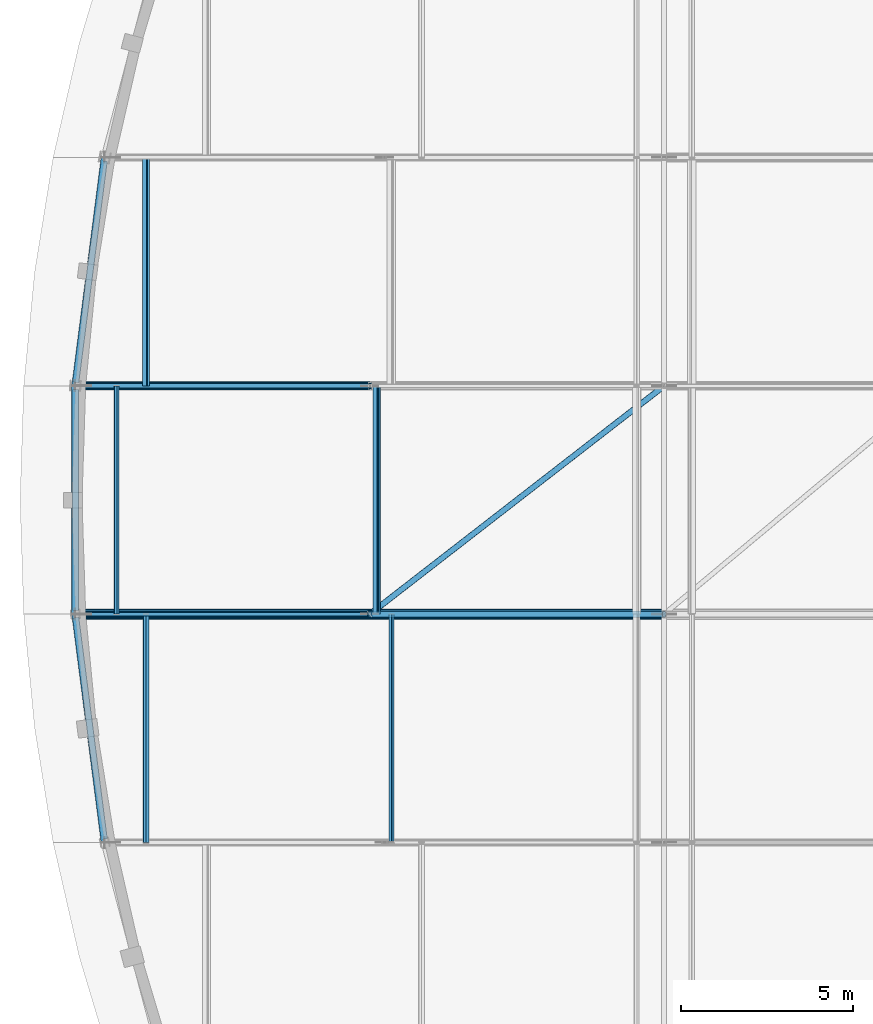
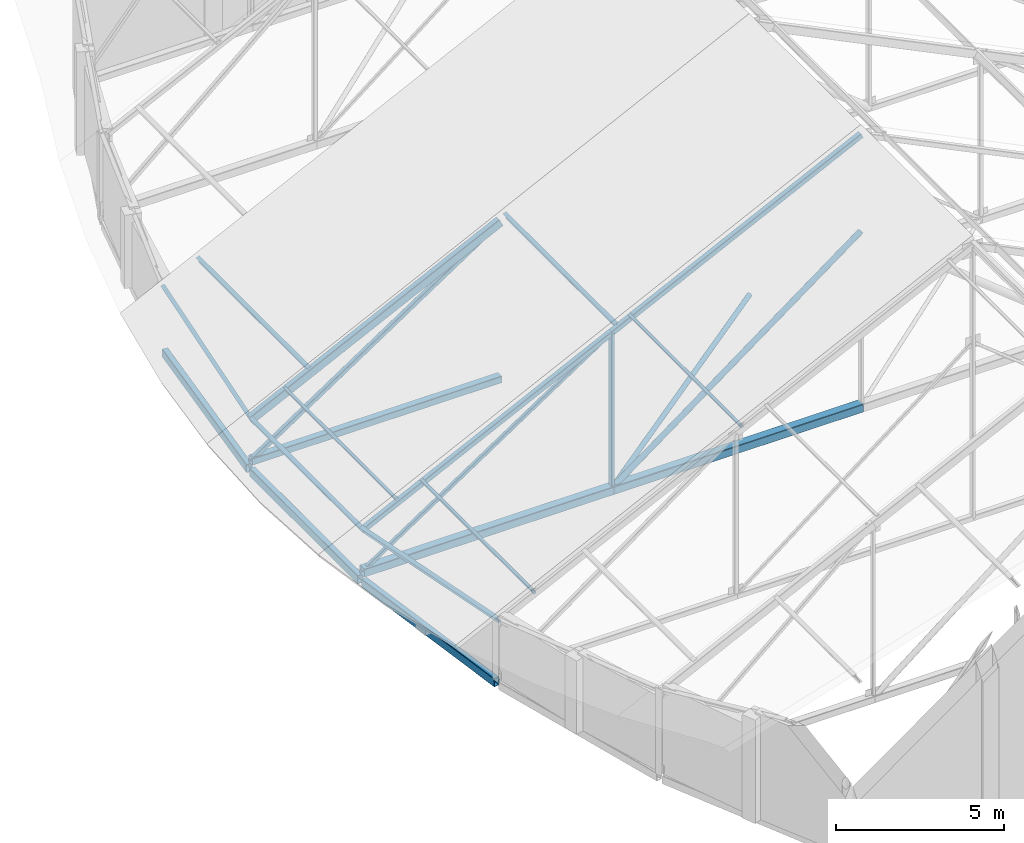
# One storey, part 16 of 78: 19 members, 3 beams.
"""IFC4 building model written with IfcOpenShell, lengths in metres."""

from ifc_helpers import new_model, si_unit, direction, frame, origin, origin_2d, place, context, subcontext, project, spatial, hollow_rectangle, hollow_circle, i_section, extrude, material, material_profile, profile_set, type_object, element, save


model = new_model("IFC4")

# Units and contexts
model_context = context("Model", 3, precision=1e-05, world=origin(), true_north=direction((0.0, 1.0)))
body_context = subcontext(model_context, "Body", "Model", "MODEL_VIEW")
ifc_project = project(units=[si_unit("LENGTHUNIT", "METRE"), si_unit("AREAUNIT", "SQUARE_METRE"), si_unit("VOLUMEUNIT", "CUBIC_METRE"), si_unit("PLANEANGLEUNIT", "RADIAN"), si_unit("MASSUNIT", "GRAM", prefix="KILO")], contexts=[model_context])

# Site, building, storey
site_placement = place(None, origin())
site = spatial("IfcSite", under=ifc_project, at=site_placement, CompositionType="ELEMENT")
building_placement = place(site_placement, origin())
building = spatial("IfcBuilding", under=site, at=building_placement, Name="Kelanivale Promenade Academy", CompositionType="ELEMENT")
storey_placement = place(building_placement, frame((0.0, 0.0, 16.199951171875)))
storey = spatial("IfcBuildingStorey", under=building, at=storey_placement, Name="L04", CompositionType="ELEMENT", Elevation=16.199951171875)

# Members
ifc_material = material(Name="Steel S355", Category="steel")
ifc_material_profile_1 = material_profile(ifc_material, i_section(OverallWidth=0.13330078125, OverallDepth=0.203125, WebThickness=0.005615234375, FlangeThickness=0.0078125, FilletRadius=0.007568359375, at=origin_2d()), Name="UB 203x133x25")
ifc_profile_set_1 = profile_set([ifc_material_profile_1], Name="Steel S355")
member_type_1 = type_object("IfcMemberType", Name="PR-01 UB 203x133x25", PredefinedType="PURLIN", material=ifc_profile_set_1)
member_1_placement = place(storey_placement, frame((3.35888671875, 46.257080078125, 2.155029296875), z_axis=(-0.127348176433, 0.989910588754, -0.062124618564), x_axis=(-0.887741290449, -0.141692035603, -0.437994027674)))
element("IfcMember", 1, at=member_1_placement, inside=storey, type_object=member_type_1, Name="Sports Hall Crescent Pavilion roof tie purlin PR-01", PredefinedType="PURLIN", context=body_context, shape_type="SweptSolid", body=[
    extrude(i_section(OverallWidth=0.13330078125, OverallDepth=0.203125, WebThickness=0.005615234375, FlangeThickness=0.0078125, FilletRadius=0.007568359375, at=origin_2d()), origin(), (0.0, 0.0, 1.0), 6.696533203125),
])
for number, where, z_axis, x_axis, name in (
    (2, (2.506103515625, 52.885986328125, 1.739013671875), (0.0, 1.0, 0.0), (-0.898564392509, 0.0, -0.438841694139), "Sports Hall Crescent Pavilion roof tie purlin PR-01"),
    (3, (11.2529296875, 52.885986328125, 6.028076171875), (0.0, 1.0, 0.0), (-0.898564392509, 0.0, -0.438841694139), "Sports Hall Crescent Pavilion roof purlin PR-01"),
):
    element("IfcMember", number, at=place(storey_placement, frame(where, z_axis=z_axis, x_axis=x_axis)), inside=storey, type_object=member_type_1, Name=name, PredefinedType="PURLIN", context=body_context, shape_type="SweptSolid", body=[
        extrude(i_section(OverallWidth=0.13330078125, OverallDepth=0.203125, WebThickness=0.005615234375, FlangeThickness=0.0078125, FilletRadius=0.007568359375, at=origin_2d()), origin(), (0.0, 0.0, 1.0), 6.6279296875),
    ])
member_2_placement = place(storey_placement, frame((2.506103515625, 59.513916015625, 1.739013671875), z_axis=(0.127343580568, 0.989911320685, 0.062122376549), x_axis=(-0.887742076357, 0.141686922264, -0.437994088915)))
element("IfcMember", 4, at=member_2_placement, inside=storey, type_object=member_type_1, Name="Sports Hall Crescent Pavilion roof tie purlin PR-01", PredefinedType="PURLIN", context=body_context, shape_type="SweptSolid", body=[
    extrude(i_section(OverallWidth=0.13330078125, OverallDepth=0.203125, WebThickness=0.005615234375, FlangeThickness=0.0078125, FilletRadius=0.007568359375, at=origin_2d()), origin(), (0.0, 0.0, 1.0), 6.69677734375),
])
member_3_placement = place(storey_placement, frame((4.55908203125, 59.513916015625, 2.758056640625), z_axis=(0.0, 1.0, 0.0), x_axis=(-0.898564392509, 0.0, -0.438841694139)))
element("IfcMember", 5, at=member_3_placement, inside=storey, type_object=member_type_1, Name="Sports Hall Crescent Pavilion roof purlin PR-01", PredefinedType="PURLIN", context=body_context, shape_type="SweptSolid", body=[
    extrude(i_section(OverallWidth=0.13330078125, OverallDepth=0.203125, WebThickness=0.005615234375, FlangeThickness=0.0078125, FilletRadius=0.007568359375, at=origin_2d()), origin(), (0.0, 0.0, 1.0), 6.629150390625),
])
ifc_material_profile_2 = material_profile(ifc_material, hollow_rectangle(XDim=0.10009765625, YDim=0.199951171875, WallThickness=0.008056640625, InnerFilletRadius=0.008056640625, OuterFilletRadius=0.01611328125, at=origin_2d()), Name="RHS 200x100x8.0")
ifc_profile_set_2 = profile_set([ifc_material_profile_2], Name="Steel S355")
member_type_2 = type_object("IfcMemberType", Name="PR-03 RHS 200x100x8.0", PredefinedType="PURLIN", material=ifc_profile_set_2)
member_4_placement = place(storey_placement, frame((4.55908203125, 46.257080078125, 2.760009765625), z_axis=(0.0, 1.0, 0.0), x_axis=(-0.898564392509, 0.0, -0.438841694139)))
element("IfcMember", 6, at=member_4_placement, inside=storey, type_object=member_type_2, Name="Sports Hall Crescent Pavilion roof purlin PR-03", PredefinedType="PURLIN", context=body_context, shape_type="SweptSolid", body=[
    extrude(hollow_rectangle(XDim=0.10009765625, YDim=0.199951171875, WallThickness=0.008056640625, InnerFilletRadius=0.008056640625, OuterFilletRadius=0.01611328125, at=origin_2d()), origin(), (0.0, 0.0, 1.0), 6.62890625),
])
ifc_material_profile_3 = material_profile(ifc_material, hollow_rectangle(XDim=0.10009765625, YDim=0.14990234375, WallThickness=0.008056640625, InnerFilletRadius=0.008056640625, OuterFilletRadius=0.01611328125, at=origin_2d()), Name="RHS 150x100x8.0")
ifc_profile_set_3 = profile_set([ifc_material_profile_3], Name="Steel S355")
member_type_3 = type_object("IfcMemberType", Name="PR-04 RHS 150x100x8.0", PredefinedType="PURLIN", material=ifc_profile_set_3)
member_5_placement = place(storey_placement, frame((11.679931640625, 46.257080078125, 6.26611328125), z_axis=(0.0, 1.0, 0.0), x_axis=(-0.898564392509, 0.0, -0.438841694139)))
element("IfcMember", 7, at=member_5_placement, inside=storey, type_object=member_type_3, Name="Sports Hall Crescent Pavilion roof purlin PR-04", PredefinedType="PURLIN", context=body_context, shape_type="SweptSolid", body=[
    extrude(hollow_rectangle(XDim=0.10009765625, YDim=0.14990234375, WallThickness=0.008056640625, InnerFilletRadius=0.008056640625, OuterFilletRadius=0.01611328125, at=origin_2d()), origin(), (0.0, 0.0, 1.0), 6.62890625),
])
member_6_placement = place(storey_placement, frame((3.7060546875, 52.885986328125, 2.3720703125), z_axis=(0.0, 1.0, 0.0), x_axis=(-0.898564392509, 0.0, -0.438841694139)))
element("IfcMember", 8, at=member_6_placement, inside=storey, type_object=member_type_3, Name="Sports Hall Crescent Pavilion roof purlin PR-04", PredefinedType="PURLIN", context=body_context, shape_type="SweptSolid", body=[
    extrude(hollow_rectangle(XDim=0.10009765625, YDim=0.14990234375, WallThickness=0.008056640625, InnerFilletRadius=0.008056640625, OuterFilletRadius=0.01611328125, at=origin_2d()), origin(), (0.0, 0.0, 1.0), 6.6279296875),
])

# Beams
ifc_material_profile_4 = material_profile(ifc_material, hollow_rectangle(XDim=0.199951171875, YDim=0.300048828125, WallThickness=0.012451171875, InnerFilletRadius=0.012451171875, OuterFilletRadius=0.02490234375, at=origin_2d()), Name="RHS 300x200x12.5")
ifc_profile_set_4 = profile_set([ifc_material_profile_4], Name="Steel S355")
beam_type = type_object("IfcBeamType", Name="SB-14 RHS 300x200x12.5", PredefinedType="SPANDREL", material=ifc_profile_set_4)
beam_1_placement = place(storey_placement, frame((3.345947265625, 46.35595703125, -0.14990234375), z_axis=(-0.12752809224, 0.991834958897, 0.0), x_axis=(-0.991834958897, -0.12752809224, 0.0)))
element("IfcBeam", 9, at=beam_1_placement, inside=storey, type_object=beam_type, Name="Sports Hall Crescent Pavilion curved ring beam SB-14", PredefinedType="SPANDREL", context=body_context, shape_type="SweptSolid", body=[
    extrude(hollow_rectangle(XDim=0.199951171875, YDim=0.300048828125, WallThickness=0.012451171875, InnerFilletRadius=0.012451171875, OuterFilletRadius=0.02490234375, at=origin_2d()), origin(), (0.0, 0.0, 1.0), 6.484130859375),
])
beam_2_placement = place(storey_placement, frame((2.506103515625, 52.986083984375, -0.14990234375), z_axis=(0.0, 1.0, 0.0), x_axis=(-1.0, 0.0, 0.0)))
element("IfcBeam", 10, at=beam_2_placement, inside=storey, type_object=beam_type, Name="Sports Hall Crescent Pavilion curved ring beam SB-14", PredefinedType="SPANDREL", context=body_context, shape_type="SweptSolid", body=[
    extrude(hollow_rectangle(XDim=0.199951171875, YDim=0.300048828125, WallThickness=0.012451171875, InnerFilletRadius=0.012451171875, OuterFilletRadius=0.02490234375, at=origin_2d()), origin(), (0.0, 0.0, 1.0), 6.427978515625),
])
beam_3_placement = place(storey_placement, frame((2.51904296875, 59.613037109375, -0.14990234375), z_axis=(0.127532854927, 0.991834346509, 0.0), x_axis=(-0.991834346509, 0.127532854927, 0.0)))
element("IfcBeam", 11, at=beam_3_placement, inside=storey, type_object=beam_type, Name="Sports Hall Crescent Pavilion curved ring beam SB-14", PredefinedType="SPANDREL", context=body_context, shape_type="SweptSolid", body=[
    extrude(hollow_rectangle(XDim=0.199951171875, YDim=0.300048828125, WallThickness=0.012451171875, InnerFilletRadius=0.012451171875, OuterFilletRadius=0.02490234375, at=origin_2d()), origin(), (0.0, 0.0, 1.0), 6.48388671875),
])

# Members
ifc_material_profile_5 = material_profile(ifc_material, hollow_rectangle(XDim=0.300048828125, YDim=0.300048828125, WallThickness=0.01611328125, InnerFilletRadius=0.01611328125, OuterFilletRadius=0.031982421875, at=origin_2d()), Name="SHS 300x300x16.0")
ifc_profile_set_5 = profile_set([ifc_material_profile_5], Name="Steel S355")
member_type_4 = type_object("IfcMemberType", Name="TC-01 SHS 300x300x16.0", PredefinedType="CHORD", material=ifc_profile_set_5)
member_7_placement = place(storey_placement, frame((2.506103515625, 52.885986328125, 0.199951171875), z_axis=(1.0, 0.0, 0.0), x_axis=(0.0, 1.0, 0.0)))
element("IfcMember", 12, at=member_7_placement, inside=storey, type_object=member_type_4, Name="ROOF TRUSS SH-TR4 bottom chord 1", PredefinedType="CHORD", context=body_context, shape_type="SweptSolid", body=[
    extrude(hollow_rectangle(XDim=0.300048828125, YDim=0.300048828125, WallThickness=0.01611328125, InnerFilletRadius=0.01611328125, OuterFilletRadius=0.031982421875, at=origin_2d()), origin(), (0.0, 0.0, 1.0), 8.546875),
])
member_8_placement = place(storey_placement, frame((11.052978515625, 52.885986328125, 0.199951171875), z_axis=(1.0, 0.0, 0.0), x_axis=(0.0, 1.0, 0.0)))
element("IfcMember", 13, at=member_8_placement, inside=storey, type_object=member_type_4, Name="ROOF TRUSS SH-TR4 bottom chord 2", PredefinedType="CHORD", context=body_context, shape_type="SweptSolid", body=[
    extrude(hollow_rectangle(XDim=0.300048828125, YDim=0.300048828125, WallThickness=0.01611328125, InnerFilletRadius=0.01611328125, OuterFilletRadius=0.031982421875, at=origin_2d()), origin(), (0.0, 0.0, 1.0), 8.547119140625),
])
ifc_material_profile_6 = material_profile(ifc_material, hollow_rectangle(XDim=0.25, YDim=0.25, WallThickness=0.012451171875, InnerFilletRadius=0.012451171875, OuterFilletRadius=0.02490234375, at=origin_2d()), Name="SHS 250x250x12.5")
ifc_profile_set_6 = profile_set([ifc_material_profile_6], Name="Steel S355")
member_type_5 = type_object("IfcMemberType", Name="TC-02 SHS 250x250x12.5", PredefinedType="CHORD", material=ifc_profile_set_6)
member_9_placement = place(storey_placement, frame((2.506103515625, 59.513916015625, 0.199951171875), z_axis=(1.0, 0.0, 0.0), x_axis=(0.0, 1.0, 0.0)))
element("IfcMember", 14, at=member_9_placement, inside=storey, type_object=member_type_5, Name="ROOF TRUSS SH-TR5 bottom chord 1", PredefinedType="CHORD", context=body_context, shape_type="SweptSolid", body=[
    extrude(hollow_rectangle(XDim=0.25, YDim=0.25, WallThickness=0.012451171875, InnerFilletRadius=0.012451171875, OuterFilletRadius=0.02490234375, at=origin_2d()), origin(), (0.0, 0.0, 1.0), 8.546875),
])
ifc_material_profile_7 = material_profile(ifc_material, hollow_rectangle(XDim=0.179931640625, YDim=0.179931640625, WallThickness=0.010009765625, InnerFilletRadius=0.010009765625, OuterFilletRadius=0.02001953125, at=origin_2d()), Name="SHS 180x180x10.0")
ifc_profile_set_7 = profile_set([ifc_material_profile_7], Name="Steel S355")
member_type_6 = type_object("IfcMemberType", Name="TC-04 SHS 180x180x10.0", PredefinedType="CHORD", material=ifc_profile_set_7)
for number, where, z_axis, x_axis, name in (
    (15, (2.506103515625, 52.885986328125, 1.694091796875), (0.89856680985, 0.0, 0.438836744401), (0.0, 1.0, 0.0), "ROOF TRUSS SH-TR4 top chord 1"),
    (16, (11.052978515625, 52.885986328125, 5.8681640625), (0.898581873428, 0.0, 0.438805898715), (0.0, 1.0, 0.0), "ROOF TRUSS SH-TR4 top chord 2"),
):
    element("IfcMember", number, at=place(storey_placement, frame(where, z_axis=z_axis, x_axis=x_axis)), inside=storey, type_object=member_type_6, Name=name, PredefinedType="CHORD", context=body_context, shape_type="SweptSolid", body=[
        extrude(hollow_rectangle(XDim=0.179931640625, YDim=0.179931640625, WallThickness=0.010009765625, InnerFilletRadius=0.010009765625, OuterFilletRadius=0.02001953125, at=origin_2d()), origin(), (0.0, 0.0, 1.0), 9.51171875),
    ])
ifc_material_profile_8 = material_profile(ifc_material, hollow_rectangle(XDim=0.199951171875, YDim=0.300048828125, WallThickness=0.012451171875, InnerFilletRadius=0.012451171875, OuterFilletRadius=0.02490234375, at=origin_2d()), Name="RHS 300x200x12.5")
ifc_profile_set_8 = profile_set([ifc_material_profile_8], Name="Steel S355")
member_type_7 = type_object("IfcMemberType", Name="TC-05 RHS 300x200x12.5", PredefinedType="CHORD", material=ifc_profile_set_8)
member_10_placement = place(storey_placement, frame((2.506103515625, 59.513916015625, 1.694091796875), z_axis=(0.89856680985, 0.0, 0.438836744401), x_axis=(0.0, 1.0, 0.0)))
element("IfcMember", 17, at=member_10_placement, inside=storey, type_object=member_type_7, Name="ROOF TRUSS SH-TR5 top chord 1", PredefinedType="CHORD", context=body_context, shape_type="SweptSolid", body=[
    extrude(hollow_rectangle(XDim=0.199951171875, YDim=0.300048828125, WallThickness=0.012451171875, InnerFilletRadius=0.012451171875, OuterFilletRadius=0.02490234375, at=origin_2d()), origin(), (0.0, 0.0, 1.0), 9.51171875),
])
ifc_material_profile_9 = material_profile(ifc_material, hollow_rectangle(XDim=0.14990234375, YDim=0.14990234375, WallThickness=0.010009765625, InnerFilletRadius=0.010009765625, OuterFilletRadius=0.02001953125, at=origin_2d()), Name="SHS 150x150x10.0")
ifc_profile_set_9 = profile_set([ifc_material_profile_9], Name="Steel S355")
member_type_8 = type_object("IfcMemberType", Name="TD-01 SHS 150x150x10.0", PredefinedType="BRACE", material=ifc_profile_set_9)
member_11_placement = place(storey_placement, frame((2.506103515625, 59.513916015625, 0.199951171875), z_axis=(0.833384651338, 0.0, 0.552693425792), x_axis=(0.0, 1.0, 0.0)))
element("IfcMember", 18, at=member_11_placement, inside=storey, type_object=member_type_8, Name="ROOF TRUSS SH-TR5 web diagonal 1", PredefinedType="BRACE", context=body_context, shape_type="SweptSolid", body=[
    extrude(hollow_rectangle(XDim=0.14990234375, YDim=0.14990234375, WallThickness=0.010009765625, InnerFilletRadius=0.010009765625, OuterFilletRadius=0.02001953125, at=origin_2d()), origin(), (0.0, 0.0, 1.0), 10.255615234375),
])
ifc_material_profile_10 = material_profile(ifc_material, hollow_rectangle(XDim=0.1201171875, YDim=0.1201171875, WallThickness=0.008056640625, InnerFilletRadius=0.008056640625, OuterFilletRadius=0.01611328125, at=origin_2d()), Name="SHS 120x120x8.0")
ifc_profile_set_10 = profile_set([ifc_material_profile_10], Name="Steel S355")
member_type_9 = type_object("IfcMemberType", Name="TD-02 SHS 120x120x8.0", PredefinedType="BRACE", material=ifc_profile_set_10)
member_12_placement = place(storey_placement, frame((2.506103515625, 52.885986328125, 0.199951171875), z_axis=(0.833384651338, 0.0, 0.552693425792), x_axis=(0.0, 1.0, 0.0)))
element("IfcMember", 19, at=member_12_placement, inside=storey, type_object=member_type_9, Name="ROOF TRUSS SH-TR4 web diagonal 1", PredefinedType="BRACE", context=body_context, shape_type="SweptSolid", body=[
    extrude(hollow_rectangle(XDim=0.1201171875, YDim=0.1201171875, WallThickness=0.008056640625, InnerFilletRadius=0.008056640625, OuterFilletRadius=0.01611328125, at=origin_2d()), origin(), (0.0, 0.0, 1.0), 10.255615234375),
])
ifc_material_profile_11 = material_profile(ifc_material, hollow_circle(Radius=0.084228515625, WallThickness=0.008056640625, at=origin_2d()), Name="CHS 168.3x8.0")
ifc_profile_set_11 = profile_set([ifc_material_profile_11], Name="Steel S355")
member_type_10 = type_object("IfcMemberType", Name="TD-04 CHS 168.3x8.0", PredefinedType="BRACE", material=ifc_profile_set_11)
member_13_placement = place(storey_placement, frame((11.052978515625, 52.885986328125, 0.199951171875), z_axis=(0.790239878241, 0.612797629595, 0.0), x_axis=(-0.612797629595, 0.790239878241, 0.0)))
element("IfcMember", 20, at=member_13_placement, inside=storey, type_object=member_type_10, Name="Sports Hall Crescent Pavilion roof wind brace TD-04", PredefinedType="BRACE", context=body_context, shape_type="SweptSolid", body=[
    extrude(hollow_circle(Radius=0.084228515625, WallThickness=0.008056640625, at=origin_2d()), origin(), (0.0, 0.0, 1.0), 10.81591796875),
])
ifc_material_profile_12 = material_profile(ifc_material, hollow_circle(Radius=0.096923828125, WallThickness=0.010009765625, at=origin_2d()), Name="CHS 193.7x10.0")
ifc_profile_set_12 = profile_set([ifc_material_profile_12], Name="Steel S355")
member_type_11 = type_object("IfcMemberType", Name="TD-07 CHS 193.7x10.0", PredefinedType="BRACE", material=ifc_profile_set_12)
member_14_placement = place(storey_placement, frame((11.052978515625, 52.885986328125, 0.199951171875), z_axis=(0.803157518053, 0.0, 0.595766733877), x_axis=(0.0, 1.0, 0.0)))
element("IfcMember", 21, at=member_14_placement, inside=storey, type_object=member_type_11, Name="ROOF TRUSS SH-TR4 web diagonal 2", PredefinedType="BRACE", context=body_context, shape_type="SweptSolid", body=[
    extrude(hollow_circle(Radius=0.096923828125, WallThickness=0.010009765625, at=origin_2d()), origin(), (0.0, 0.0, 1.0), 10.641845703125),
])
ifc_material_profile_13 = material_profile(ifc_material, hollow_rectangle(XDim=0.1201171875, YDim=0.199951171875, WallThickness=0.010009765625, InnerFilletRadius=0.010009765625, OuterFilletRadius=0.02001953125, at=origin_2d()), Name="RHS 200x120x10.0")
ifc_profile_set_13 = profile_set([ifc_material_profile_13], Name="Steel S355")
member_type_12 = type_object("IfcMemberType", Name="TV-01 RHS 200x120x10.0", PredefinedType="STRUT", material=ifc_profile_set_13)
member_15_placement = place(storey_placement, frame((11.052978515625, 52.885986328125, 0.199951171875), z_axis=(0.0, 0.0, 1.0), x_axis=(1.0, 0.0, 0.0)))
element("IfcMember", 22, at=member_15_placement, inside=storey, type_object=member_type_12, Name="ROOF TRUSS SH-TR4 vertical strut 1", PredefinedType="STRUT", context=body_context, shape_type="SweptSolid", body=[
    extrude(hollow_rectangle(XDim=0.1201171875, YDim=0.199951171875, WallThickness=0.010009765625, InnerFilletRadius=0.010009765625, OuterFilletRadius=0.02001953125, at=origin_2d()), origin(), (0.0, 0.0, 1.0), 5.668212890625),
])

save(model, "model.ifc")
